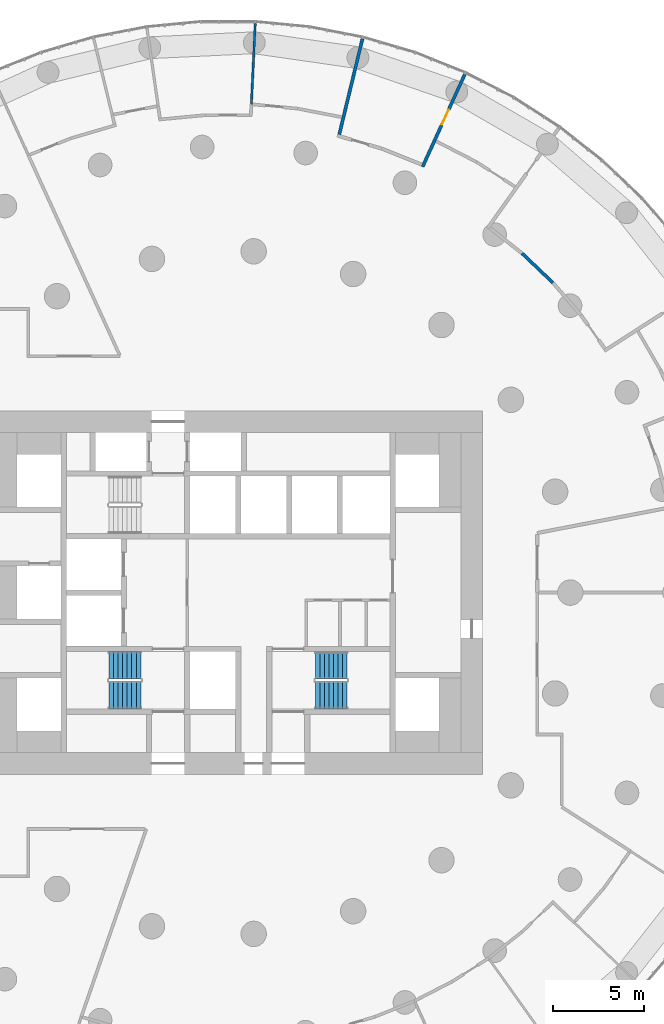
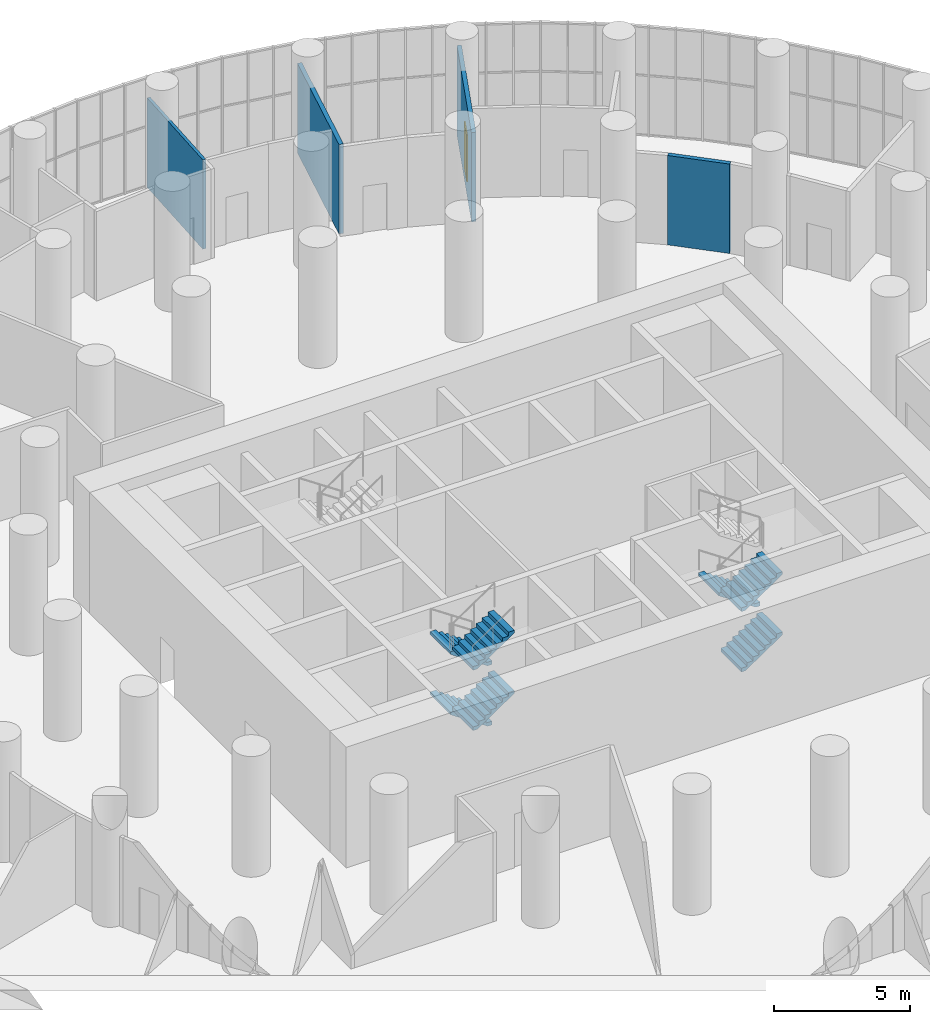
# One storey, part 25 of 27: 7 stair flights, 4 walls, 1 door, 1 opening, 2 elements without a shape of their own.
"""IFC4 building model written with IfcOpenShell, lengths in metres."""

from ifc_helpers import new_model, si_unit, direction, frame, frame_2d, origin, place, context, subcontext, project, spatial, polyline, rectangle, outline, extrude, material, layer, layer_set, type_object, element, fill, aggregate, save


model = new_model("IFC4")

# Units and contexts
model_context = context("Model", 3, precision=1e-05, world=origin(), true_north=direction((0.0, 1.0)))
body_context = subcontext(model_context, "Body", "Model", "MODEL_VIEW")
ifc_project = project(units=[si_unit("LENGTHUNIT", "METRE"), si_unit("AREAUNIT", "SQUARE_METRE"), si_unit("VOLUMEUNIT", "CUBIC_METRE"), si_unit("PLANEANGLEUNIT", "RADIAN"), si_unit("MASSUNIT", "GRAM", prefix="KILO")], contexts=[model_context])

# Site, building, storey
site_placement = place(None, origin())
site = spatial("IfcSite", under=ifc_project, at=site_placement, CompositionType="ELEMENT")
building_placement = place(site_placement, origin())
building = spatial("IfcBuilding", under=site, at=building_placement, Name="Tracery Tower", CompositionType="ELEMENT")
storey_placement = place(building_placement, frame((0.0, 0.0, 114.60009765625)))
storey = spatial("IfcBuildingStorey", under=building, at=storey_placement, Name="L29", CompositionType="ELEMENT", Elevation=114.60009765625)

# Wall
ifc_material_1 = material(Name="Plasterboard on steel studs", Category="steel")
ifc_layer_1 = layer(ifc_material_1, 0.175048828125)
ifc_layer_set_1 = layer_set([ifc_layer_1], Name="Compartment partition 175")
wall_type_1 = type_object("IfcWallType", Name="Compartment partition 175", PredefinedType="PARTITIONING", material=ifc_layer_set_1)
wall_1_placement = place(storey_placement, frame((7.3896484375, 30.460693359375, 0.0), z_axis=(0.0, 0.0, 1.0), x_axis=(-0.235734136945, -0.971817584055, 0.0)))
element("IfcWall", 1, at=wall_1_placement, inside=storey, type_object=wall_type_1, Name="Compartment partition 175", PredefinedType="PARTITIONING", context=body_context, shape_type="SweptSolid", body=[
    extrude(rectangle(XDim=5.41845703125, YDim=0.175048828125, at=frame_2d((2.709228515625, 0.0))), origin(), (0.0, 0.0, 1.0), 4.0),
])

# Wall, opening, door
wall_2_placement = place(storey_placement, frame((10.697265625, 23.423583984375, 0.0), z_axis=(0.0, 0.0, 1.0), x_axis=(0.415406978867, 0.909635664378, 0.0)))
wall_2 = element("IfcWall", 2, at=wall_2_placement, inside=storey, type_object=wall_type_1, Name="Compartment partition 175", PredefinedType="PARTITIONING", context=body_context, shape_type="SweptSolid", body=[
    extrude(rectangle(XDim=5.59375, YDim=0.175048828125, at=frame_2d((2.796875, 0.0))), origin(), (0.0, 0.0, 1.0), 4.0),
])
opening_placement = place(wall_2_placement, frame((2.54150390625, 0.0, 0.0)))
opening = element("IfcOpeningElement", 3, at=opening_placement, cuts=wall_2, Name="Opening SB-L29-08", PredefinedType="OPENING", context=body_context, shape_type="SweptSolid", body=[
    extrude(rectangle(XDim=0.89990234375, YDim=2.10009765625, at=frame_2d((0.449951171875, 1.050048828125))), frame((0.0, 0.08740234375, 0.0), z_axis=(0.0, -1.0, 0.0), x_axis=(1.0, 0.0, 0.0)), (0.0, 0.0, 1.0), 0.175048828125),
])
ifc_material_2 = material(Name="Steel fire door", Category="steel")
door_type = type_object("IfcDoorType", Name="Store door 900", OperationType="NOTDEFINED", PredefinedType="DOOR", material=ifc_material_2)
door_placement = place(opening_placement, origin())
door = element("IfcDoor", 4, at=door_placement, inside=storey, type_object=door_type, Name="Store door 900", OperationType="SINGLE_SWING_RIGHT", OverallHeight=2.10009765625, OverallWidth=0.89990234375, PredefinedType="DOOR", context=body_context, shape_type="SweptSolid", body=[
    extrude(rectangle(XDim=0.89990234375, YDim=2.10009765625, at=frame_2d((0.449951171875, 1.050048828125))), frame((0.0, 0.02490234375, 0.0), z_axis=(0.0, -1.0, 0.0), x_axis=(1.0, 0.0, 0.0)), (0.0, 0.0, 1.0), 0.050048828125),
])
fill(opening, door)

# Walls
wall_3_placement = place(storey_placement, frame((17.86669921875, 17.035888671875, 0.0), z_axis=(0.0, 0.0, 1.0), x_axis=(-0.72374237325, 0.690070269728, 0.0)))
element("IfcWall", 5, at=wall_3_placement, inside=storey, type_object=wall_type_1, Name="Compartment partition 175", PredefinedType="PARTITIONING", context=body_context, shape_type="SweptSolid", body=[
    extrude(rectangle(XDim=2.34912109375, YDim=0.175048828125, at=frame_2d((1.174560546875, 0.0))), origin(), (0.0, 0.0, 1.0), 4.0),
])
ifc_material_3 = material(Name="Plasterboard on steel studs", Category="steel")
ifc_layer_2 = layer(ifc_material_3, 0.125)
ifc_layer_set_2 = layer_set([ifc_layer_2], Name="Wet area partition 125")
wall_type_2 = type_object("IfcWallType", Name="Wet area partition 125", PredefinedType="PARTITIONING", material=ifc_layer_set_2)
wall_4_placement = place(storey_placement, frame((1.491455078125, 31.308837890625, 0.0), z_axis=(0.0, 0.0, 1.0), x_axis=(-0.047622430455, -0.99886540841, 0.0)))
element("IfcWall", 6, at=wall_4_placement, inside=storey, type_object=wall_type_2, Name="Wet area partition 125", PredefinedType="PARTITIONING", context=body_context, shape_type="SweptSolid", body=[
    extrude(rectangle(XDim=4.455078125, YDim=0.125, at=frame_2d((2.2275390625, 0.0))), origin(), (0.0, 0.0, 1.0), 4.0),
])

# Stair, stair flights
ifc_material_4 = material(Name="Concrete C32/40", Category="concrete")
stair_type = type_object("IfcStairType", Name="Core stair 32 risers", PredefinedType="HALF_TURN_STAIR", material=ifc_material_4)
stair_1_placement = place(storey_placement, origin())
stair_1 = element("IfcStair", 7, at=stair_1_placement, inside=storey, type_object=stair_type, Name="L29 stair ST1", PredefinedType="HALF_TURN_STAIR")
ifc_material_5 = material(Name="Concrete C32/40", Category="concrete")
stair_flight_type = type_object("IfcStairFlightType", Name="Core stair flight 8 risers", PredefinedType="STRAIGHT", material=ifc_material_5)
stair_flight_1_placement = place(storey_placement, frame((-4.800048828125, -4.0, 0.0), z_axis=(0.0, 0.0, 1.0), x_axis=(-1.0, 0.0, 0.0)))
stair_flight_1 = element("IfcStairFlight", 8, at=stair_flight_1_placement, type_object=stair_flight_type, Name="ST1 flight 1", NumberOfRisers=8, NumberOfTreads=7, PredefinedType="STRAIGHT", RiserHeight=0.16875, TreadLength=0.25, context=body_context, shape_type="SweptSolid", body=[
    extrude(outline(polyline([(0.0, 0.0), (0.0, 0.002685546875), (0.0, 0.005615234375), (0.0, 0.00830078125), (0.0, 0.010986328125), (0.0, 0.013916015625), (0.0, 0.0166015625), (0.0, 0.019287109375), (0.0, 0.022216796875), (0.0, 0.02490234375), (0.0, 0.027587890625), (0.0, 0.030517578125), (0.0, 0.033203125), (0.0, 0.035888671875), (0.0, 0.038818359375), (0.0, 0.04150390625), (0.0, 0.044189453125), (0.0, 0.047119140625), (0.0, 0.0498046875), (0.0, 0.052490234375), (0.0, 0.055419921875), (0.0, 0.05810546875), (0.0, 0.060791015625), (0.0, 0.063720703125), (0.0, 0.06640625), (0.0, 0.069091796875), (0.0, 0.072021484375), (0.0, 0.07470703125), (0.0, 0.077392578125), (0.0, 0.080322265625), (0.0, 0.0830078125), (0.0, 0.085693359375), (0.0, 0.088623046875), (0.0, 0.09130859375), (0.0, 0.093994140625), (0.0, 0.096923828125), (0.0, 0.099609375), (0.0, 0.102294921875), (0.0, 0.105224609375), (0.0, 0.10791015625), (0.0, 0.110595703125), (0.0, 0.113525390625), (0.0, 0.1162109375), (0.0, 0.118896484375), (0.0, 0.121826171875), (0.0, 0.12451171875), (0.0, 0.127197265625), (0.0, 0.130126953125), (0.0, 0.1328125), (0.0, 0.135498046875), (0.0, 0.138427734375), (0.0, 0.14111328125), (0.0, 0.143798828125), (0.0, 0.146728515625), (0.0, 0.1494140625), (0.0, 0.152099609375), (0.0, 0.155029296875), (0.0, 0.15771484375), (0.0, 0.160400390625), (0.0, 0.163330078125), (0.0, 0.166015625), (0.0, 0.168701171875), (0.25, 0.168701171875), (0.25, 0.33740234375), (0.5, 0.33740234375), (0.5, 0.50634765625), (0.75, 0.50634765625), (0.75, 0.675048828125), (1.0, 0.675048828125), (1.0, 0.84375), (1.25, 0.84375), (1.25, 1.012451171875), (1.5, 1.012451171875), (1.5, 1.18115234375), (1.75, 1.18115234375), (1.75, 1.17919921875), (1.75, 1.17724609375), (1.75, 1.17529296875), (1.75, 1.17333984375), (1.75, 1.17138671875), (1.75, 1.16943359375), (1.75, 1.16748046875), (1.75, 1.16552734375), (1.75, 1.163330078125), (1.75, 1.161376953125), (1.75, 1.159423828125), (1.75, 1.157470703125), (1.75, 1.155517578125), (1.75, 1.153564453125), (1.75, 1.151611328125), (1.75, 1.149658203125), (1.75, 1.147705078125), (1.75, 1.1455078125), (1.75, 1.1435546875), (1.75, 1.1416015625), (1.75, 1.1396484375), (1.75, 1.1376953125), (1.75, 1.1357421875), (1.75, 1.1337890625), (1.75, 1.1318359375), (1.75, 1.1298828125), (1.75, 1.127685546875), (1.75, 1.125732421875), (1.75, 1.123779296875), (1.75, 1.121826171875), (1.75, 1.119873046875), (1.75, 1.117919921875), (1.75, 1.115966796875), (1.75, 1.114013671875), (1.75, 1.112060546875), (1.75, 1.10986328125), (1.75, 1.10791015625), (1.75, 1.10595703125), (1.75, 1.10400390625), (1.75, 1.10205078125), (1.75, 1.10009765625), (1.75, 1.09814453125), (1.75, 1.09619140625), (1.75, 1.09423828125), (1.75, 1.092041015625), (1.75, 1.090087890625), (1.75, 1.088134765625), (1.75, 1.086181640625), (1.75, 1.084228515625), (1.75, 1.082275390625), (1.75, 1.080322265625), (1.75, 1.078369140625), (1.75, 1.076416015625), (1.75, 1.074462890625), (1.75, 1.072265625), (1.75, 1.0703125), (1.75, 1.068359375), (1.75, 1.06640625), (1.75, 1.064453125), (1.75, 1.0625), (1.75, 1.060546875), (0.178955078125, 0.0), (0.0, 0.0)])), frame((0.0, 0.75, 0.0), z_axis=(0.0, -1.0, 0.0), x_axis=(1.0, 0.0, 0.0)), (0.0, 0.0, 1.0), 1.5),
])
stair_flight_2_placement = place(storey_placement, frame((-6.550048828125, -5.64990234375, 1.349853515625), z_axis=(0.0, 0.0, 1.0), x_axis=(1.0, 0.0, 0.0)))
stair_flight_2 = element("IfcStairFlight", 9, at=stair_flight_2_placement, type_object=stair_flight_type, Name="ST1 flight 2", NumberOfRisers=8, NumberOfTreads=7, PredefinedType="STRAIGHT", RiserHeight=0.16875, TreadLength=0.25, context=body_context, shape_type="SweptSolid", body=[
    extrude(outline(polyline([(0.0, 0.0), (0.0, 0.002685546875), (0.0, 0.005615234375), (0.0, 0.00830078125), (0.0, 0.010986328125), (0.0, 0.013916015625), (0.0, 0.0166015625), (0.0, 0.019287109375), (0.0, 0.022216796875), (0.0, 0.02490234375), (0.0, 0.027587890625), (0.0, 0.030517578125), (0.0, 0.033203125), (0.0, 0.035888671875), (0.0, 0.038818359375), (0.0, 0.04150390625), (0.0, 0.044189453125), (0.0, 0.047119140625), (0.0, 0.0498046875), (0.0, 0.052490234375), (0.0, 0.055419921875), (0.0, 0.05810546875), (0.0, 0.060791015625), (0.0, 0.063720703125), (0.0, 0.06640625), (0.0, 0.069091796875), (0.0, 0.072021484375), (0.0, 0.07470703125), (0.0, 0.077392578125), (0.0, 0.080322265625), (0.0, 0.0830078125), (0.0, 0.085693359375), (0.0, 0.088623046875), (0.0, 0.09130859375), (0.0, 0.093994140625), (0.0, 0.096923828125), (0.0, 0.099609375), (0.0, 0.102294921875), (0.0, 0.105224609375), (0.0, 0.10791015625), (0.0, 0.110595703125), (0.0, 0.113525390625), (0.0, 0.1162109375), (0.0, 0.118896484375), (0.0, 0.121826171875), (0.0, 0.12451171875), (0.0, 0.127197265625), (0.0, 0.130126953125), (0.0, 0.1328125), (0.0, 0.135498046875), (0.0, 0.138427734375), (0.0, 0.14111328125), (0.0, 0.143798828125), (0.0, 0.146728515625), (0.0, 0.1494140625), (0.0, 0.152099609375), (0.0, 0.155029296875), (0.0, 0.15771484375), (0.0, 0.160400390625), (0.0, 0.163330078125), (0.0, 0.166015625), (0.0, 0.168701171875), (0.25, 0.168701171875), (0.25, 0.33740234375), (0.5, 0.33740234375), (0.5, 0.50634765625), (0.75, 0.50634765625), (0.75, 0.675048828125), (1.0, 0.675048828125), (1.0, 0.84375), (1.25, 0.84375), (1.25, 1.012451171875), (1.5, 1.012451171875), (1.5, 1.18115234375), (1.75, 1.18115234375), (1.75, 1.17919921875), (1.75, 1.17724609375), (1.75, 1.17529296875), (1.75, 1.17333984375), (1.75, 1.17138671875), (1.75, 1.16943359375), (1.75, 1.16748046875), (1.75, 1.16552734375), (1.75, 1.163330078125), (1.75, 1.161376953125), (1.75, 1.159423828125), (1.75, 1.157470703125), (1.75, 1.155517578125), (1.75, 1.153564453125), (1.75, 1.151611328125), (1.75, 1.149658203125), (1.75, 1.147705078125), (1.75, 1.1455078125), (1.75, 1.1435546875), (1.75, 1.1416015625), (1.75, 1.1396484375), (1.75, 1.1376953125), (1.75, 1.1357421875), (1.75, 1.1337890625), (1.75, 1.1318359375), (1.75, 1.1298828125), (1.75, 1.127685546875), (1.75, 1.125732421875), (1.75, 1.123779296875), (1.75, 1.121826171875), (1.75, 1.119873046875), (1.75, 1.117919921875), (1.75, 1.115966796875), (1.75, 1.114013671875), (1.75, 1.112060546875), (1.75, 1.10986328125), (1.75, 1.10791015625), (1.75, 1.10595703125), (1.75, 1.10400390625), (1.75, 1.10205078125), (1.75, 1.10009765625), (1.75, 1.09814453125), (1.75, 1.09619140625), (1.75, 1.09423828125), (1.75, 1.092041015625), (1.75, 1.090087890625), (1.75, 1.088134765625), (1.75, 1.086181640625), (1.75, 1.084228515625), (1.75, 1.082275390625), (1.75, 1.080322265625), (1.75, 1.078369140625), (1.75, 1.076416015625), (1.75, 1.074462890625), (1.75, 1.072265625), (1.75, 1.0703125), (1.75, 1.068359375), (1.75, 1.06640625), (1.75, 1.064453125), (1.75, 1.0625), (1.75, 1.060546875), (0.178955078125, 0.0), (0.0, 0.0)])), frame((0.0, 0.75, 0.0), z_axis=(0.0, -1.0, 0.0), x_axis=(1.0, 0.0, 0.0)), (0.0, 0.0, 1.0), 1.5),
])
stair_flight_3_placement = place(storey_placement, frame((-4.800048828125, -4.0, 2.699951171875), z_axis=(0.0, 0.0, 1.0), x_axis=(-1.0, 0.0, 0.0)))
stair_flight_3 = element("IfcStairFlight", 10, at=stair_flight_3_placement, type_object=stair_flight_type, Name="ST1 flight 3", NumberOfRisers=8, NumberOfTreads=7, PredefinedType="STRAIGHT", RiserHeight=0.16875, TreadLength=0.25, context=body_context, shape_type="SweptSolid", body=[
    extrude(outline(polyline([(0.0, 0.0), (0.0, 0.002685546875), (0.0, 0.005615234375), (0.0, 0.00830078125), (0.0, 0.010986328125), (0.0, 0.013916015625), (0.0, 0.0166015625), (0.0, 0.019287109375), (0.0, 0.022216796875), (0.0, 0.02490234375), (0.0, 0.027587890625), (0.0, 0.030517578125), (0.0, 0.033203125), (0.0, 0.035888671875), (0.0, 0.038818359375), (0.0, 0.04150390625), (0.0, 0.044189453125), (0.0, 0.047119140625), (0.0, 0.0498046875), (0.0, 0.052490234375), (0.0, 0.055419921875), (0.0, 0.05810546875), (0.0, 0.060791015625), (0.0, 0.063720703125), (0.0, 0.06640625), (0.0, 0.069091796875), (0.0, 0.072021484375), (0.0, 0.07470703125), (0.0, 0.077392578125), (0.0, 0.080322265625), (0.0, 0.0830078125), (0.0, 0.085693359375), (0.0, 0.088623046875), (0.0, 0.09130859375), (0.0, 0.093994140625), (0.0, 0.096923828125), (0.0, 0.099609375), (0.0, 0.102294921875), (0.0, 0.105224609375), (0.0, 0.10791015625), (0.0, 0.110595703125), (0.0, 0.113525390625), (0.0, 0.1162109375), (0.0, 0.118896484375), (0.0, 0.121826171875), (0.0, 0.12451171875), (0.0, 0.127197265625), (0.0, 0.130126953125), (0.0, 0.1328125), (0.0, 0.135498046875), (0.0, 0.138427734375), (0.0, 0.14111328125), (0.0, 0.143798828125), (0.0, 0.146728515625), (0.0, 0.1494140625), (0.0, 0.152099609375), (0.0, 0.155029296875), (0.0, 0.15771484375), (0.0, 0.160400390625), (0.0, 0.163330078125), (0.0, 0.166015625), (0.0, 0.168701171875), (0.25, 0.168701171875), (0.25, 0.33740234375), (0.5, 0.33740234375), (0.5, 0.50634765625), (0.75, 0.50634765625), (0.75, 0.675048828125), (1.0, 0.675048828125), (1.0, 0.84375), (1.25, 0.84375), (1.25, 1.012451171875), (1.5, 1.012451171875), (1.5, 1.18115234375), (1.75, 1.18115234375), (1.75, 1.17919921875), (1.75, 1.17724609375), (1.75, 1.17529296875), (1.75, 1.17333984375), (1.75, 1.17138671875), (1.75, 1.16943359375), (1.75, 1.16748046875), (1.75, 1.16552734375), (1.75, 1.163330078125), (1.75, 1.161376953125), (1.75, 1.159423828125), (1.75, 1.157470703125), (1.75, 1.155517578125), (1.75, 1.153564453125), (1.75, 1.151611328125), (1.75, 1.149658203125), (1.75, 1.147705078125), (1.75, 1.1455078125), (1.75, 1.1435546875), (1.75, 1.1416015625), (1.75, 1.1396484375), (1.75, 1.1376953125), (1.75, 1.1357421875), (1.75, 1.1337890625), (1.75, 1.1318359375), (1.75, 1.1298828125), (1.75, 1.127685546875), (1.75, 1.125732421875), (1.75, 1.123779296875), (1.75, 1.121826171875), (1.75, 1.119873046875), (1.75, 1.117919921875), (1.75, 1.115966796875), (1.75, 1.114013671875), (1.75, 1.112060546875), (1.75, 1.10986328125), (1.75, 1.10791015625), (1.75, 1.10595703125), (1.75, 1.10400390625), (1.75, 1.10205078125), (1.75, 1.10009765625), (1.75, 1.09814453125), (1.75, 1.09619140625), (1.75, 1.09423828125), (1.75, 1.092041015625), (1.75, 1.090087890625), (1.75, 1.088134765625), (1.75, 1.086181640625), (1.75, 1.084228515625), (1.75, 1.082275390625), (1.75, 1.080322265625), (1.75, 1.078369140625), (1.75, 1.076416015625), (1.75, 1.074462890625), (1.75, 1.072265625), (1.75, 1.0703125), (1.75, 1.068359375), (1.75, 1.06640625), (1.75, 1.064453125), (1.75, 1.0625), (1.75, 1.060546875), (0.178955078125, 0.0), (0.0, 0.0)])), frame((0.0, 0.75, 0.0), z_axis=(0.0, -1.0, 0.0), x_axis=(1.0, 0.0, 0.0)), (0.0, 0.0, 1.0), 1.5),
])
stair_flight_4_placement = place(storey_placement, frame((-6.550048828125, -5.64990234375, 4.0498046875), z_axis=(0.0, 0.0, 1.0), x_axis=(1.0, 0.0, 0.0)))
stair_flight_4 = element("IfcStairFlight", 11, at=stair_flight_4_placement, type_object=stair_flight_type, Name="ST1 flight 4", NumberOfRisers=8, NumberOfTreads=7, PredefinedType="STRAIGHT", RiserHeight=0.16875, TreadLength=0.25, context=body_context, shape_type="SweptSolid", body=[
    extrude(outline(polyline([(0.0, 0.0), (0.0, 0.002685546875), (0.0, 0.005615234375), (0.0, 0.00830078125), (0.0, 0.010986328125), (0.0, 0.013916015625), (0.0, 0.0166015625), (0.0, 0.019287109375), (0.0, 0.022216796875), (0.0, 0.02490234375), (0.0, 0.027587890625), (0.0, 0.030517578125), (0.0, 0.033203125), (0.0, 0.035888671875), (0.0, 0.038818359375), (0.0, 0.04150390625), (0.0, 0.044189453125), (0.0, 0.047119140625), (0.0, 0.0498046875), (0.0, 0.052490234375), (0.0, 0.055419921875), (0.0, 0.05810546875), (0.0, 0.060791015625), (0.0, 0.063720703125), (0.0, 0.06640625), (0.0, 0.069091796875), (0.0, 0.072021484375), (0.0, 0.07470703125), (0.0, 0.077392578125), (0.0, 0.080322265625), (0.0, 0.0830078125), (0.0, 0.085693359375), (0.0, 0.088623046875), (0.0, 0.09130859375), (0.0, 0.093994140625), (0.0, 0.096923828125), (0.0, 0.099609375), (0.0, 0.102294921875), (0.0, 0.105224609375), (0.0, 0.10791015625), (0.0, 0.110595703125), (0.0, 0.113525390625), (0.0, 0.1162109375), (0.0, 0.118896484375), (0.0, 0.121826171875), (0.0, 0.12451171875), (0.0, 0.127197265625), (0.0, 0.130126953125), (0.0, 0.1328125), (0.0, 0.135498046875), (0.0, 0.138427734375), (0.0, 0.14111328125), (0.0, 0.143798828125), (0.0, 0.146728515625), (0.0, 0.1494140625), (0.0, 0.152099609375), (0.0, 0.155029296875), (0.0, 0.15771484375), (0.0, 0.160400390625), (0.0, 0.163330078125), (0.0, 0.166015625), (0.0, 0.168701171875), (0.25, 0.168701171875), (0.25, 0.33740234375), (0.5, 0.33740234375), (0.5, 0.50634765625), (0.75, 0.50634765625), (0.75, 0.675048828125), (1.0, 0.675048828125), (1.0, 0.84375), (1.25, 0.84375), (1.25, 1.012451171875), (1.5, 1.012451171875), (1.5, 1.18115234375), (1.75, 1.18115234375), (1.75, 1.17919921875), (1.75, 1.17724609375), (1.75, 1.17529296875), (1.75, 1.17333984375), (1.75, 1.17138671875), (1.75, 1.16943359375), (1.75, 1.16748046875), (1.75, 1.16552734375), (1.75, 1.163330078125), (1.75, 1.161376953125), (1.75, 1.159423828125), (1.75, 1.157470703125), (1.75, 1.155517578125), (1.75, 1.153564453125), (1.75, 1.151611328125), (1.75, 1.149658203125), (1.75, 1.147705078125), (1.75, 1.1455078125), (1.75, 1.1435546875), (1.75, 1.1416015625), (1.75, 1.1396484375), (1.75, 1.1376953125), (1.75, 1.1357421875), (1.75, 1.1337890625), (1.75, 1.1318359375), (1.75, 1.1298828125), (1.75, 1.127685546875), (1.75, 1.125732421875), (1.75, 1.123779296875), (1.75, 1.121826171875), (1.75, 1.119873046875), (1.75, 1.117919921875), (1.75, 1.115966796875), (1.75, 1.114013671875), (1.75, 1.112060546875), (1.75, 1.10986328125), (1.75, 1.10791015625), (1.75, 1.10595703125), (1.75, 1.10400390625), (1.75, 1.10205078125), (1.75, 1.10009765625), (1.75, 1.09814453125), (1.75, 1.09619140625), (1.75, 1.09423828125), (1.75, 1.092041015625), (1.75, 1.090087890625), (1.75, 1.088134765625), (1.75, 1.086181640625), (1.75, 1.084228515625), (1.75, 1.082275390625), (1.75, 1.080322265625), (1.75, 1.078369140625), (1.75, 1.076416015625), (1.75, 1.074462890625), (1.75, 1.072265625), (1.75, 1.0703125), (1.75, 1.068359375), (1.75, 1.06640625), (1.75, 1.064453125), (1.75, 1.0625), (1.75, 1.060546875), (0.178955078125, 0.0), (0.0, 0.0)])), frame((0.0, 0.75, 0.0), z_axis=(0.0, -1.0, 0.0), x_axis=(1.0, 0.0, 0.0)), (0.0, 0.0, 1.0), 1.5),
])
aggregate(stair_1, [stair_flight_1, stair_flight_2, stair_flight_3, stair_flight_4])

stair_2_placement = place(storey_placement, origin())
stair_2 = element("IfcStair", 12, at=stair_2_placement, inside=storey, type_object=stair_type, Name="L29 stair ST2", PredefinedType="HALF_TURN_STAIR")
stair_flight_5_placement = place(storey_placement, frame((4.800048828125, -5.64990234375, 0.0), z_axis=(0.0, 0.0, 1.0), x_axis=(1.0, 0.0, 0.0)))
stair_flight_5 = element("IfcStairFlight", 13, at=stair_flight_5_placement, type_object=stair_flight_type, Name="ST2 flight 1", NumberOfRisers=8, NumberOfTreads=7, PredefinedType="STRAIGHT", RiserHeight=0.16875, TreadLength=0.25, context=body_context, shape_type="SweptSolid", body=[
    extrude(outline(polyline([(0.0, 0.0), (0.0, 0.002685546875), (0.0, 0.005615234375), (0.0, 0.00830078125), (0.0, 0.010986328125), (0.0, 0.013916015625), (0.0, 0.0166015625), (0.0, 0.019287109375), (0.0, 0.022216796875), (0.0, 0.02490234375), (0.0, 0.027587890625), (0.0, 0.030517578125), (0.0, 0.033203125), (0.0, 0.035888671875), (0.0, 0.038818359375), (0.0, 0.04150390625), (0.0, 0.044189453125), (0.0, 0.047119140625), (0.0, 0.0498046875), (0.0, 0.052490234375), (0.0, 0.055419921875), (0.0, 0.05810546875), (0.0, 0.060791015625), (0.0, 0.063720703125), (0.0, 0.06640625), (0.0, 0.069091796875), (0.0, 0.072021484375), (0.0, 0.07470703125), (0.0, 0.077392578125), (0.0, 0.080322265625), (0.0, 0.0830078125), (0.0, 0.085693359375), (0.0, 0.088623046875), (0.0, 0.09130859375), (0.0, 0.093994140625), (0.0, 0.096923828125), (0.0, 0.099609375), (0.0, 0.102294921875), (0.0, 0.105224609375), (0.0, 0.10791015625), (0.0, 0.110595703125), (0.0, 0.113525390625), (0.0, 0.1162109375), (0.0, 0.118896484375), (0.0, 0.121826171875), (0.0, 0.12451171875), (0.0, 0.127197265625), (0.0, 0.130126953125), (0.0, 0.1328125), (0.0, 0.135498046875), (0.0, 0.138427734375), (0.0, 0.14111328125), (0.0, 0.143798828125), (0.0, 0.146728515625), (0.0, 0.1494140625), (0.0, 0.152099609375), (0.0, 0.155029296875), (0.0, 0.15771484375), (0.0, 0.160400390625), (0.0, 0.163330078125), (0.0, 0.166015625), (0.0, 0.168701171875), (0.25, 0.168701171875), (0.25, 0.33740234375), (0.5, 0.33740234375), (0.5, 0.50634765625), (0.75, 0.50634765625), (0.75, 0.675048828125), (1.0, 0.675048828125), (1.0, 0.84375), (1.25, 0.84375), (1.25, 1.012451171875), (1.5, 1.012451171875), (1.5, 1.18115234375), (1.75, 1.18115234375), (1.75, 1.17919921875), (1.75, 1.17724609375), (1.75, 1.17529296875), (1.75, 1.17333984375), (1.75, 1.17138671875), (1.75, 1.16943359375), (1.75, 1.16748046875), (1.75, 1.16552734375), (1.75, 1.163330078125), (1.75, 1.161376953125), (1.75, 1.159423828125), (1.75, 1.157470703125), (1.75, 1.155517578125), (1.75, 1.153564453125), (1.75, 1.151611328125), (1.75, 1.149658203125), (1.75, 1.147705078125), (1.75, 1.1455078125), (1.75, 1.1435546875), (1.75, 1.1416015625), (1.75, 1.1396484375), (1.75, 1.1376953125), (1.75, 1.1357421875), (1.75, 1.1337890625), (1.75, 1.1318359375), (1.75, 1.1298828125), (1.75, 1.127685546875), (1.75, 1.125732421875), (1.75, 1.123779296875), (1.75, 1.121826171875), (1.75, 1.119873046875), (1.75, 1.117919921875), (1.75, 1.115966796875), (1.75, 1.114013671875), (1.75, 1.112060546875), (1.75, 1.10986328125), (1.75, 1.10791015625), (1.75, 1.10595703125), (1.75, 1.10400390625), (1.75, 1.10205078125), (1.75, 1.10009765625), (1.75, 1.09814453125), (1.75, 1.09619140625), (1.75, 1.09423828125), (1.75, 1.092041015625), (1.75, 1.090087890625), (1.75, 1.088134765625), (1.75, 1.086181640625), (1.75, 1.084228515625), (1.75, 1.082275390625), (1.75, 1.080322265625), (1.75, 1.078369140625), (1.75, 1.076416015625), (1.75, 1.074462890625), (1.75, 1.072265625), (1.75, 1.0703125), (1.75, 1.068359375), (1.75, 1.06640625), (1.75, 1.064453125), (1.75, 1.0625), (1.75, 1.060546875), (0.178955078125, 0.0), (0.0, 0.0)])), frame((0.0, 0.75, 0.0), z_axis=(0.0, -1.0, 0.0), x_axis=(1.0, 0.0, 0.0)), (0.0, 0.0, 1.0), 1.5),
])
stair_flight_6_placement = place(storey_placement, frame((6.550048828125, -4.0, 1.349853515625), z_axis=(0.0, 0.0, 1.0), x_axis=(-1.0, 0.0, 0.0)))
stair_flight_6 = element("IfcStairFlight", 14, at=stair_flight_6_placement, type_object=stair_flight_type, Name="ST2 flight 2", NumberOfRisers=8, NumberOfTreads=7, PredefinedType="STRAIGHT", RiserHeight=0.16875, TreadLength=0.25, context=body_context, shape_type="SweptSolid", body=[
    extrude(outline(polyline([(0.0, 0.0), (0.0, 0.002685546875), (0.0, 0.005615234375), (0.0, 0.00830078125), (0.0, 0.010986328125), (0.0, 0.013916015625), (0.0, 0.0166015625), (0.0, 0.019287109375), (0.0, 0.022216796875), (0.0, 0.02490234375), (0.0, 0.027587890625), (0.0, 0.030517578125), (0.0, 0.033203125), (0.0, 0.035888671875), (0.0, 0.038818359375), (0.0, 0.04150390625), (0.0, 0.044189453125), (0.0, 0.047119140625), (0.0, 0.0498046875), (0.0, 0.052490234375), (0.0, 0.055419921875), (0.0, 0.05810546875), (0.0, 0.060791015625), (0.0, 0.063720703125), (0.0, 0.06640625), (0.0, 0.069091796875), (0.0, 0.072021484375), (0.0, 0.07470703125), (0.0, 0.077392578125), (0.0, 0.080322265625), (0.0, 0.0830078125), (0.0, 0.085693359375), (0.0, 0.088623046875), (0.0, 0.09130859375), (0.0, 0.093994140625), (0.0, 0.096923828125), (0.0, 0.099609375), (0.0, 0.102294921875), (0.0, 0.105224609375), (0.0, 0.10791015625), (0.0, 0.110595703125), (0.0, 0.113525390625), (0.0, 0.1162109375), (0.0, 0.118896484375), (0.0, 0.121826171875), (0.0, 0.12451171875), (0.0, 0.127197265625), (0.0, 0.130126953125), (0.0, 0.1328125), (0.0, 0.135498046875), (0.0, 0.138427734375), (0.0, 0.14111328125), (0.0, 0.143798828125), (0.0, 0.146728515625), (0.0, 0.1494140625), (0.0, 0.152099609375), (0.0, 0.155029296875), (0.0, 0.15771484375), (0.0, 0.160400390625), (0.0, 0.163330078125), (0.0, 0.166015625), (0.0, 0.168701171875), (0.25, 0.168701171875), (0.25, 0.33740234375), (0.5, 0.33740234375), (0.5, 0.50634765625), (0.75, 0.50634765625), (0.75, 0.675048828125), (1.0, 0.675048828125), (1.0, 0.84375), (1.25, 0.84375), (1.25, 1.012451171875), (1.5, 1.012451171875), (1.5, 1.18115234375), (1.75, 1.18115234375), (1.75, 1.17919921875), (1.75, 1.17724609375), (1.75, 1.17529296875), (1.75, 1.17333984375), (1.75, 1.17138671875), (1.75, 1.16943359375), (1.75, 1.16748046875), (1.75, 1.16552734375), (1.75, 1.163330078125), (1.75, 1.161376953125), (1.75, 1.159423828125), (1.75, 1.157470703125), (1.75, 1.155517578125), (1.75, 1.153564453125), (1.75, 1.151611328125), (1.75, 1.149658203125), (1.75, 1.147705078125), (1.75, 1.1455078125), (1.75, 1.1435546875), (1.75, 1.1416015625), (1.75, 1.1396484375), (1.75, 1.1376953125), (1.75, 1.1357421875), (1.75, 1.1337890625), (1.75, 1.1318359375), (1.75, 1.1298828125), (1.75, 1.127685546875), (1.75, 1.125732421875), (1.75, 1.123779296875), (1.75, 1.121826171875), (1.75, 1.119873046875), (1.75, 1.117919921875), (1.75, 1.115966796875), (1.75, 1.114013671875), (1.75, 1.112060546875), (1.75, 1.10986328125), (1.75, 1.10791015625), (1.75, 1.10595703125), (1.75, 1.10400390625), (1.75, 1.10205078125), (1.75, 1.10009765625), (1.75, 1.09814453125), (1.75, 1.09619140625), (1.75, 1.09423828125), (1.75, 1.092041015625), (1.75, 1.090087890625), (1.75, 1.088134765625), (1.75, 1.086181640625), (1.75, 1.084228515625), (1.75, 1.082275390625), (1.75, 1.080322265625), (1.75, 1.078369140625), (1.75, 1.076416015625), (1.75, 1.074462890625), (1.75, 1.072265625), (1.75, 1.0703125), (1.75, 1.068359375), (1.75, 1.06640625), (1.75, 1.064453125), (1.75, 1.0625), (1.75, 1.060546875), (0.178955078125, 0.0), (0.0, 0.0)])), frame((0.0, 0.75, 0.0), z_axis=(0.0, -1.0, 0.0), x_axis=(1.0, 0.0, 0.0)), (0.0, 0.0, 1.0), 1.5),
])
stair_flight_7_placement = place(storey_placement, frame((4.800048828125, -5.64990234375, 2.699951171875), z_axis=(0.0, 0.0, 1.0), x_axis=(1.0, 0.0, 0.0)))
stair_flight_7 = element("IfcStairFlight", 15, at=stair_flight_7_placement, type_object=stair_flight_type, Name="ST2 flight 3", NumberOfRisers=8, NumberOfTreads=7, PredefinedType="STRAIGHT", RiserHeight=0.16875, TreadLength=0.25, context=body_context, shape_type="SweptSolid", body=[
    extrude(outline(polyline([(0.0, 0.0), (0.0, 0.002685546875), (0.0, 0.005615234375), (0.0, 0.00830078125), (0.0, 0.010986328125), (0.0, 0.013916015625), (0.0, 0.0166015625), (0.0, 0.019287109375), (0.0, 0.022216796875), (0.0, 0.02490234375), (0.0, 0.027587890625), (0.0, 0.030517578125), (0.0, 0.033203125), (0.0, 0.035888671875), (0.0, 0.038818359375), (0.0, 0.04150390625), (0.0, 0.044189453125), (0.0, 0.047119140625), (0.0, 0.0498046875), (0.0, 0.052490234375), (0.0, 0.055419921875), (0.0, 0.05810546875), (0.0, 0.060791015625), (0.0, 0.063720703125), (0.0, 0.06640625), (0.0, 0.069091796875), (0.0, 0.072021484375), (0.0, 0.07470703125), (0.0, 0.077392578125), (0.0, 0.080322265625), (0.0, 0.0830078125), (0.0, 0.085693359375), (0.0, 0.088623046875), (0.0, 0.09130859375), (0.0, 0.093994140625), (0.0, 0.096923828125), (0.0, 0.099609375), (0.0, 0.102294921875), (0.0, 0.105224609375), (0.0, 0.10791015625), (0.0, 0.110595703125), (0.0, 0.113525390625), (0.0, 0.1162109375), (0.0, 0.118896484375), (0.0, 0.121826171875), (0.0, 0.12451171875), (0.0, 0.127197265625), (0.0, 0.130126953125), (0.0, 0.1328125), (0.0, 0.135498046875), (0.0, 0.138427734375), (0.0, 0.14111328125), (0.0, 0.143798828125), (0.0, 0.146728515625), (0.0, 0.1494140625), (0.0, 0.152099609375), (0.0, 0.155029296875), (0.0, 0.15771484375), (0.0, 0.160400390625), (0.0, 0.163330078125), (0.0, 0.166015625), (0.0, 0.168701171875), (0.25, 0.168701171875), (0.25, 0.33740234375), (0.5, 0.33740234375), (0.5, 0.50634765625), (0.75, 0.50634765625), (0.75, 0.675048828125), (1.0, 0.675048828125), (1.0, 0.84375), (1.25, 0.84375), (1.25, 1.012451171875), (1.5, 1.012451171875), (1.5, 1.18115234375), (1.75, 1.18115234375), (1.75, 1.17919921875), (1.75, 1.17724609375), (1.75, 1.17529296875), (1.75, 1.17333984375), (1.75, 1.17138671875), (1.75, 1.16943359375), (1.75, 1.16748046875), (1.75, 1.16552734375), (1.75, 1.163330078125), (1.75, 1.161376953125), (1.75, 1.159423828125), (1.75, 1.157470703125), (1.75, 1.155517578125), (1.75, 1.153564453125), (1.75, 1.151611328125), (1.75, 1.149658203125), (1.75, 1.147705078125), (1.75, 1.1455078125), (1.75, 1.1435546875), (1.75, 1.1416015625), (1.75, 1.1396484375), (1.75, 1.1376953125), (1.75, 1.1357421875), (1.75, 1.1337890625), (1.75, 1.1318359375), (1.75, 1.1298828125), (1.75, 1.127685546875), (1.75, 1.125732421875), (1.75, 1.123779296875), (1.75, 1.121826171875), (1.75, 1.119873046875), (1.75, 1.117919921875), (1.75, 1.115966796875), (1.75, 1.114013671875), (1.75, 1.112060546875), (1.75, 1.10986328125), (1.75, 1.10791015625), (1.75, 1.10595703125), (1.75, 1.10400390625), (1.75, 1.10205078125), (1.75, 1.10009765625), (1.75, 1.09814453125), (1.75, 1.09619140625), (1.75, 1.09423828125), (1.75, 1.092041015625), (1.75, 1.090087890625), (1.75, 1.088134765625), (1.75, 1.086181640625), (1.75, 1.084228515625), (1.75, 1.082275390625), (1.75, 1.080322265625), (1.75, 1.078369140625), (1.75, 1.076416015625), (1.75, 1.074462890625), (1.75, 1.072265625), (1.75, 1.0703125), (1.75, 1.068359375), (1.75, 1.06640625), (1.75, 1.064453125), (1.75, 1.0625), (1.75, 1.060546875), (0.178955078125, 0.0), (0.0, 0.0)])), frame((0.0, 0.75, 0.0), z_axis=(0.0, -1.0, 0.0), x_axis=(1.0, 0.0, 0.0)), (0.0, 0.0, 1.0), 1.5),
])
aggregate(stair_2, [stair_flight_5, stair_flight_6, stair_flight_7])

save(model, "model.ifc")
